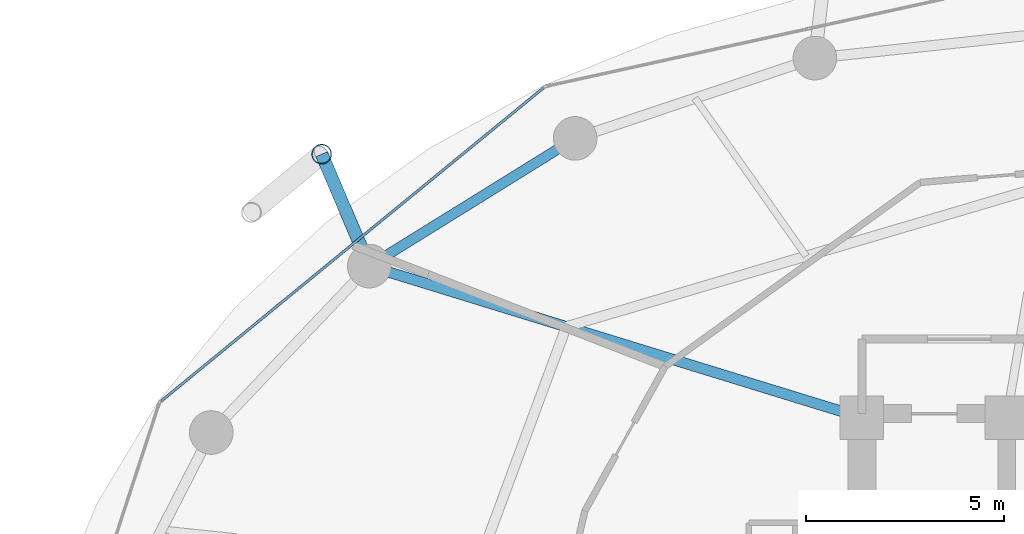
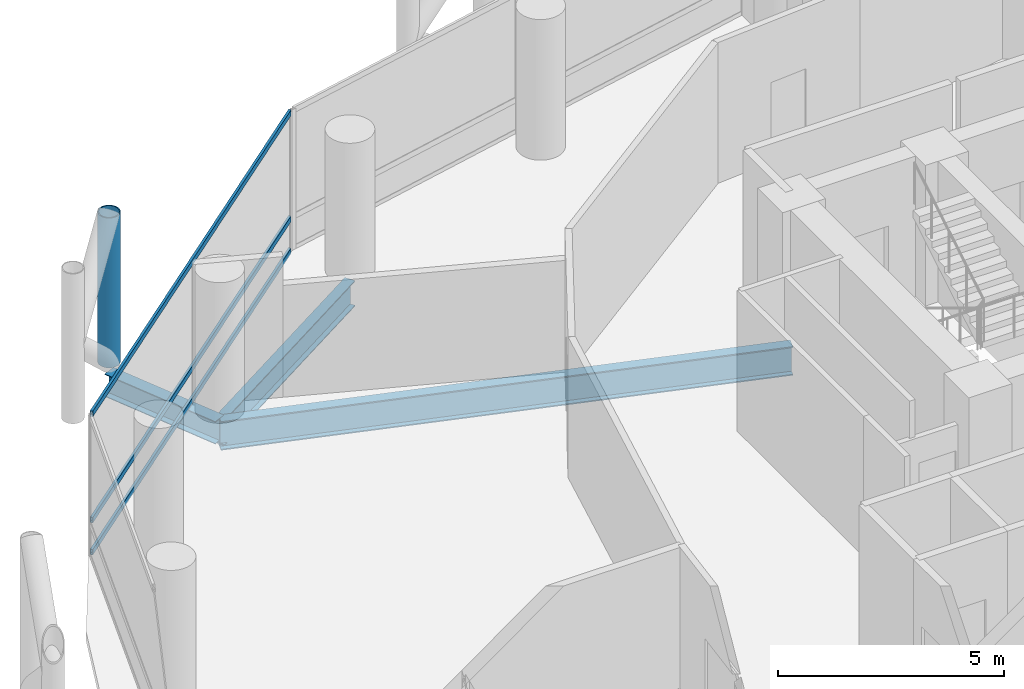
# One storey, part 14 of 24: 4 members, 3 beams, 1 element without a shape of its own.
"""IFC4 building model written with IfcOpenShell, lengths in metres."""

import ifcopenshell
import ifcopenshell.guid

model = None  # the IFC model being written
_history = None  # IfcOwnerHistory: only IFC2X3 demands one
_inside = {}  # id of a spatial element -> (the spatial element, [elements in it])
_under = {}  # id of a project, library or spatial element -> (it, [spatial elements below it])
_declared = {}  # id of a project -> (the project, [libraries it declares])
_typed = {}  # id of a type object -> (the type object, [elements of that type])
_made_of = {}  # id of a material, layer set ... -> (it, [elements and type objects made of it])


def new_model(schema):
    """Start an empty IFC model of exactly this schema.

    Asked for "IFC4X3", IfcOpenShell would pick the latest addendum, in which some entities
    have other attributes; the version numbers below select the first issue.
    IFC2X3 requires an IfcOwnerHistory on every rooted entity: one is made here for all.
    """
    global model, _history
    if schema == "IFC4X3":
        model = ifcopenshell.file(schema_version=(4, 3, 0, 0))
    else:
        model = ifcopenshell.file(schema=schema)
    _inside.clear()
    _under.clear()
    _declared.clear()
    _typed.clear()
    _made_of.clear()
    _history = None
    if model.schema == "IFC2X3":
        org = make("IfcOrganization", Name="unknown")
        user = make(
            "IfcPersonAndOrganization",
            ThePerson=make("IfcPerson", FamilyName="unknown"),
            TheOrganization=org,
        )
        app = make(
            "IfcApplication",
            ApplicationDeveloper=org,
            Version="unknown",
            ApplicationFullName="unknown",
            ApplicationIdentifier="unknown",
        )
        _history = make(
            "IfcOwnerHistory",
            OwningUser=user,
            OwningApplication=app,
            ChangeAction="ADDED",
            CreationDate=0,
        )
    return model


def make(cls, **values):
    """One entity of the class cls with the attributes given. An attribute that is None is left unset."""
    return model.create_entity(
        cls, **{name: value for name, value in values.items() if value is not None}
    )


def rooted(cls, **values):
    """An entity with a GlobalId (a new one), such as an element, a storey or a relation."""
    return make(cls, GlobalId=ifcopenshell.guid.new(), OwnerHistory=_history, **values)


def si_unit(unit_type, name, prefix=None):
    """IfcSIUnit, for example si_unit("LENGTHUNIT", "METRE", prefix="MILLI")."""
    return make("IfcSIUnit", UnitType=unit_type, Prefix=prefix, Name=name)


def assignment(units):
    """IfcUnitAssignment: the units of a project."""
    return None if units is None else make("IfcUnitAssignment", Units=units)


def point(xyz):
    """IfcCartesianPoint."""
    return None if xyz is None else make("IfcCartesianPoint", Coordinates=xyz)


def direction(xyz):
    """IfcDirection."""
    return None if xyz is None else make("IfcDirection", DirectionRatios=xyz)


def frame(location, z_axis=None, x_axis=None):
    """IfcAxis2Placement3D, a coordinate frame: its origin and axes. An axis left out is left unset."""
    return make(
        "IfcAxis2Placement3D",
        Location=point(location),
        Axis=direction(z_axis),
        RefDirection=direction(x_axis),
    )


def frame_2d(location, x_axis=None):
    """IfcAxis2Placement2D, a coordinate frame in the plane: its origin and x axis."""
    return make(
        "IfcAxis2Placement2D", Location=point(location), RefDirection=direction(x_axis)
    )


def origin():
    """The frame at (0, 0, 0) with its axes left unset."""
    return frame((0.0, 0.0, 0.0))


def origin_2d():
    """The frame at (0, 0) in the plane with its x axis left unset."""
    return frame_2d((0.0, 0.0))


def place(relative_to, where):
    """IfcLocalPlacement: puts the frame where relative to a parent placement (None: the world)."""
    return make(
        "IfcLocalPlacement", PlacementRelTo=relative_to, RelativePlacement=where
    )


def context(
    kind, dimensions, precision=None, world=None, true_north=None, identifier=None
):
    """IfcGeometricRepresentationContext, for example the 3D "Model" context."""
    return make(
        "IfcGeometricRepresentationContext",
        ContextIdentifier=identifier,
        ContextType=kind,
        CoordinateSpaceDimension=dimensions,
        Precision=precision,
        WorldCoordinateSystem=world,
        TrueNorth=true_north,
    )


def subcontext(parent, identifier, kind, view, scale=None):
    """IfcGeometricRepresentationSubContext, for example "Body" below "Model"."""
    return make(
        "IfcGeometricRepresentationSubContext",
        ContextIdentifier=identifier,
        ContextType=kind,
        ParentContext=parent,
        TargetScale=scale,
        TargetView=view,
    )


def project(units=None, contexts=None):
    """IfcProject with its units and contexts."""
    return rooted(
        "IfcProject",
        Name="project",
        RepresentationContexts=contexts,
        UnitsInContext=assignment(units),
    )


def spatial(cls, under=None, at=None, **own):
    """A site, building, storey or space (cls), placed at a placement, below another one or the project."""
    s = rooted(cls, ObjectPlacement=at, **own)
    if under is not None:
        _under.setdefault(under.id(), (under, []))[1].append(s)
    return s


def profile(cls, at=None, kind="AREA", **sizes):
    """A parametric profile (cls). Its sizes go by their IFC names, for example OverallWidth=200.0."""
    return make(cls, ProfileType=kind, Position=at, **sizes)


def hollow_rectangle(**sizes):
    """IfcRectangleHollowProfileDef."""
    return profile("IfcRectangleHollowProfileDef", **sizes)


def hollow_circle(**sizes):
    """IfcCircleHollowProfileDef."""
    return profile("IfcCircleHollowProfileDef", **sizes)


def i_section(**sizes):
    """IfcIShapeProfileDef."""
    return profile("IfcIShapeProfileDef", **sizes)


def extrude(swept, where, along, depth):
    """IfcExtrudedAreaSolid: the profile swept, set in the frame where, extruded along a direction by depth."""
    return make(
        "IfcExtrudedAreaSolid",
        SweptArea=swept,
        Position=where,
        ExtrudedDirection=direction(along),
        Depth=depth,
    )


def shape(context_of_items, identifier, shape_type, items):
    """IfcShapeRepresentation: the items that make up one representation, for example the "Body"."""
    return make(
        "IfcShapeRepresentation",
        ContextOfItems=context_of_items,
        RepresentationIdentifier=identifier,
        RepresentationType=shape_type,
        Items=items,
    )


def material(Name=None, Category=None):
    """IfcMaterial."""
    return make("IfcMaterial", Name=Name, Category=Category)


def layer(
    of_material, thickness, ventilated=None, Name=None, Category=None, Priority=None
):
    """IfcMaterialLayer: one layer of a wall or slab, of a material (None: an air gap)."""
    return make(
        "IfcMaterialLayer",
        Material=of_material,
        LayerThickness=thickness,
        IsVentilated=ventilated,
        Name=Name,
        Category=Category,
        Priority=Priority,
    )


def layer_set(layers, Name=None):
    """IfcMaterialLayerSet."""
    return make("IfcMaterialLayerSet", MaterialLayers=layers, LayerSetName=Name)


def material_profile(
    of_material, cross_section, Name=None, Category=None, Priority=None
):
    """IfcMaterialProfile: a cross section and its material."""
    return make(
        "IfcMaterialProfile",
        Name=Name,
        Material=of_material,
        Profile=cross_section,
        Priority=Priority,
        Category=Category,
    )


def profile_set(profiles, Name=None, composite=None):
    """IfcMaterialProfileSet."""
    return make(
        "IfcMaterialProfileSet",
        Name=Name,
        MaterialProfiles=profiles,
        CompositeProfile=composite,
    )


def made_of(thing, what):
    """Note that an element or type object is made of a material, layer set ...; save() writes the relation."""
    if what is not None:
        _made_of.setdefault(what.id(), (what, []))[1].append(thing)
    return thing


def type_object(cls, material=None, **own):
    """A type object (cls), such as IfcWallType, which elements share."""
    return made_of(rooted(cls, **own), material)


def element(
    cls,
    number,
    at=None,
    inside=None,
    cuts=None,
    type_object=None,
    material=None,
    context=None,
    identifier="Body",
    shape_type=None,
    held_by="IfcProductDefinitionShape",
    body=None,
    shapes=None,
    **own,
):
    """One element of the class cls, such as IfcWall. Its Tag is "e" and its number.

    at: its placement. inside: the storey or other place that contains it. cuts: it is an
    opening in that element (IfcRelVoidsElement). A single representation is given by context,
    identifier, shape_type and body (its items); several are given by shapes. held_by: the class
    of the entity that holds the representations. save() writes the other relations.
    """
    e = rooted(cls, Tag="e%d" % number, ObjectPlacement=at, **own)
    if body is not None:
        shapes = [shape(context, identifier, shape_type, body)]
    if shapes is not None:
        e.Representation = make(held_by, Representations=shapes)
    if inside is not None:
        _inside.setdefault(inside.id(), (inside, []))[1].append(e)
    if cuts is not None:
        rooted(
            "IfcRelVoidsElement", RelatingBuildingElement=cuts, RelatedOpeningElement=e
        )
    if type_object is not None:
        _typed.setdefault(type_object.id(), (type_object, []))[1].append(e)
    return made_of(e, material)


def aggregate(whole, parts):
    """IfcRelAggregates: a whole, such as a stair, and the parts it consists of."""
    return rooted("IfcRelAggregates", RelatingObject=whole, RelatedObjects=parts)


def save(model, path):
    """Write the relations noted so far, then the file.

    IfcRelAggregates (storeys below a building ...), IfcRelContainedInSpatialStructure (elements
    in a storey), IfcRelDefinesByType, IfcRelAssociatesMaterial and IfcRelDeclares: one each for
    every whole, place, type object, material and project.
    """
    for whole, parts in _under.values():
        aggregate(whole, parts)
    for where, things in _inside.values():
        rooted(
            "IfcRelContainedInSpatialStructure",
            RelatedElements=things,
            RelatingStructure=where,
        )
    for kind, things in _typed.values():
        rooted("IfcRelDefinesByType", RelatedObjects=things, RelatingType=kind)
    for what, things in _made_of.values():
        rooted("IfcRelAssociatesMaterial", RelatedObjects=things, RelatingMaterial=what)
    for by, libraries in _declared.values():
        rooted("IfcRelDeclares", RelatingContext=by, RelatedDefinitions=libraries)
    model.write(path)


model = new_model("IFC4")

# Units and contexts
model_context = context("Model", 3, precision=1e-05, world=origin(), true_north=direction((0.0, 1.0)))
body_context = subcontext(model_context, "Body", "Model", "MODEL_VIEW")
ifc_project = project(units=[si_unit("LENGTHUNIT", "METRE"), si_unit("AREAUNIT", "SQUARE_METRE"), si_unit("VOLUMEUNIT", "CUBIC_METRE"), si_unit("PLANEANGLEUNIT", "RADIAN"), si_unit("MASSUNIT", "GRAM", prefix="KILO")], contexts=[model_context])

# Site, building, storey
site_placement = place(None, origin())
site = spatial("IfcSite", under=ifc_project, at=site_placement, CompositionType="ELEMENT")
building_placement = place(site_placement, origin())
building = spatial("IfcBuilding", under=site, at=building_placement, Name="Nuhasar Tower", CompositionType="ELEMENT")
storey_placement = place(building_placement, frame((0.0, 0.0, 73.64990234375)))
storey = spatial("IfcBuildingStorey", under=building, at=storey_placement, Name="L17", CompositionType="ELEMENT", Elevation=73.64990234375)

# Beams
ifc_material_1 = material(Name="Steel S355", Category="steel")
ifc_material_profile_1 = material_profile(ifc_material_1, i_section(OverallWidth=0.26611328125, OverallDepth=0.779052734375, WebThickness=0.0166015625, FlangeThickness=0.030029296875, at=origin_2d()), Name="W30X148")
ifc_profile_set_1 = profile_set([ifc_material_profile_1], Name="Steel S355")
beam_type_1 = type_object("IfcBeamType", Name="BM-RAD-W30X148", PredefinedType="BEAM", material=ifc_profile_set_1)
beam_1_placement = place(storey_placement, frame((33.699951171875, 37.300048828125, -0.638916015625), z_axis=(-0.955789576103, 0.294051502653, 0.0), x_axis=(-0.294051502653, -0.955789576103, 0.0)))
element("IfcBeam", 1, at=beam_1_placement, inside=storey, type_object=beam_type_1, Name="L17 Radial Floor Girder 07", PredefinedType="BEAM", context=body_context, shape_type="SweptSolid", body=[
    extrude(i_section(OverallWidth=0.26611328125, OverallDepth=0.779052734375, WebThickness=0.0166015625, FlangeThickness=0.030029296875, at=origin_2d()), origin(), (0.0, 0.0, 1.0), 12.987060546875),
])
ifc_material_profile_2 = material_profile(ifc_material_1, i_section(OverallWidth=0.256103515625, OverallDepth=0.693115234375, WebThickness=0.014404296875, FlangeThickness=0.023681640625, at=origin_2d()), Name="W27X114")
ifc_profile_set_2 = profile_set([ifc_material_profile_2], Name="Steel S355")
beam_type_2 = type_object("IfcBeamType", Name="BM-RING-W27X114", PredefinedType="SPANDREL", material=ifc_profile_set_2)
beam_2_placement = place(storey_placement, frame((26.47509765625, 44.3369140625, -0.596923828125), z_axis=(-0.849795216549, -0.527112976439, 0.0), x_axis=(0.527112976439, -0.849795216549, 0.0)))
element("IfcBeam", 2, at=beam_2_placement, inside=storey, type_object=beam_type_2, Name="L17 Perimeter Ring Spandrel 09", PredefinedType="SPANDREL", context=body_context, shape_type="SweptSolid", body=[
    extrude(i_section(OverallWidth=0.256103515625, OverallDepth=0.693115234375, WebThickness=0.014404296875, FlangeThickness=0.023681640625, at=origin_2d()), origin(), (0.0, 0.0, 1.0), 6.10498046875),
])
ifc_material_profile_3 = material_profile(ifc_material_1, i_section(OverallWidth=0.323974609375, OverallDepth=0.611083984375, WebThickness=0.0126953125, FlangeThickness=0.01904296875, at=origin_2d()), Name="W24X104")
ifc_profile_set_3 = profile_set([ifc_material_profile_3], Name="Steel S355")
beam_type_3 = type_object("IfcBeamType", Name="BM-TIE-W24X104", PredefinedType="BEAM", material=ifc_profile_set_3)
beam_3_placement = place(storey_placement, frame((21.287109375, 41.118896484375, -0.554931640625), z_axis=(-0.391601084021, 0.920135093882, 0.0), x_axis=(-0.920135093882, -0.391601084021, 0.0)))
element("IfcBeam", 3, at=beam_3_placement, inside=storey, type_object=beam_type_3, Name="L17 Exoskeleton Node Tie Beam 05", PredefinedType="BEAM", context=body_context, shape_type="SweptSolid", body=[
    extrude(i_section(OverallWidth=0.323974609375, OverallDepth=0.611083984375, WebThickness=0.0126953125, FlangeThickness=0.01904296875, at=origin_2d()), origin(), (0.0, 0.0, 1.0), 3.06494140625),
])

# Curtain wall, members
ifc_material_2 = material(Name="Aluminium 6063-T6", Category="aluminium")
ifc_layer = layer(ifc_material_2, 0.199951171875)
ifc_layer_set = layer_set([ifc_layer], Name="Aluminium 6063-T6")
curtain_wall_type = type_object("IfcCurtainWallType", Name="CW-Z1-OFF", PredefinedType="NOTDEFINED", material=ifc_layer_set)
curtain_wall_placement = place(storey_placement, origin())
curtain_wall = element("IfcCurtainWall", 4, at=curtain_wall_placement, inside=storey, type_object=curtain_wall_type, Name="L17 Unitised Curtain Wall 05", PredefinedType="NOTDEFINED")
ifc_material_profile_4 = material_profile(ifc_material_2, hollow_rectangle(XDim=0.06494140625, YDim=0.14990234375, WallThickness=0.00439453125, at=origin_2d()), Name="CWT-2")
ifc_profile_set_4 = profile_set([ifc_material_profile_4], Name="Aluminium 6063-T6")
member_type_1 = type_object("IfcMemberType", Name="CW-TRN-S2", PredefinedType="USERDEFINED", material=ifc_profile_set_4)
member_1_placement = place(storey_placement, frame((25.669677734375, 45.603759765625, 0.03271484375), z_axis=(-0.773540851599, -0.633746440548, 0.0), x_axis=(0.633746440548, -0.773540851599, 0.0)))
member_1 = element("IfcMember", 5, at=member_1_placement, type_object=member_type_1, Name="CW-Z1 transom 1.1", ObjectType="TRANSOM", PredefinedType="USERDEFINED", context=body_context, shape_type="SweptSolid", body=[
    extrude(hollow_rectangle(XDim=0.06494140625, YDim=0.14990234375, WallThickness=0.00439453125, at=origin_2d()), origin(), (0.0, 0.0, 1.0), 12.43798828125),
])
member_2_placement = place(storey_placement, frame((25.669677734375, 45.603759765625, 0.900146484375), z_axis=(-0.773540851599, -0.633746440548, 0.0), x_axis=(0.633746440548, -0.773540851599, 0.0)))
member_2 = element("IfcMember", 6, at=member_2_placement, type_object=member_type_1, Name="CW-Z1 transom 1.2", ObjectType="TRANSOM", PredefinedType="USERDEFINED", context=body_context, shape_type="SweptSolid", body=[
    extrude(hollow_rectangle(XDim=0.06494140625, YDim=0.14990234375, WallThickness=0.00439453125, at=origin_2d()), origin(), (0.0, 0.0, 1.0), 12.43798828125),
])
member_3_placement = place(storey_placement, frame((25.669677734375, 45.603759765625, 3.767578125), z_axis=(-0.773540851599, -0.633746440548, 0.0), x_axis=(0.633746440548, -0.773540851599, 0.0)))
member_3 = element("IfcMember", 7, at=member_3_placement, type_object=member_type_1, Name="CW-Z1 transom 1.3", ObjectType="TRANSOM", PredefinedType="USERDEFINED", context=body_context, shape_type="SweptSolid", body=[
    extrude(hollow_rectangle(XDim=0.06494140625, YDim=0.14990234375, WallThickness=0.00439453125, at=origin_2d()), origin(), (0.0, 0.0, 1.0), 12.43798828125),
])
aggregate(curtain_wall, [member_1, member_2, member_3])

# Member
ifc_material_3 = material(Name="Steel S460", Category="steel")
ifc_material_profile_5 = material_profile(ifc_material_3, hollow_circle(Radius=0.25390625, WallThickness=0.025390625, at=origin_2d()), Name="HSS508X25.4")
ifc_profile_set_5 = profile_set([ifc_material_profile_5], Name="Steel S460")
member_type_2 = type_object("IfcMemberType", Name="EXO-BRONZE-508", PredefinedType="BRACE", material=ifc_profile_set_5)
member_4_placement = place(storey_placement, frame((20.0869140625, 43.93896484375, 0.0), z_axis=(0.0, 0.0, 1.0), x_axis=(1.0, 0.0, 0.0)))
element("IfcMember", 8, at=member_4_placement, inside=storey, type_object=member_type_2, Name="L17 Exoskeleton Chord Column EC-05A", PredefinedType="BRACE", context=body_context, shape_type="SweptSolid", body=[
    extrude(hollow_circle(Radius=0.25390625, WallThickness=0.025390625, at=origin_2d()), origin(), (0.0, 0.0, 1.0), 4.050048828125),
])

save(model, "model.ifc")
